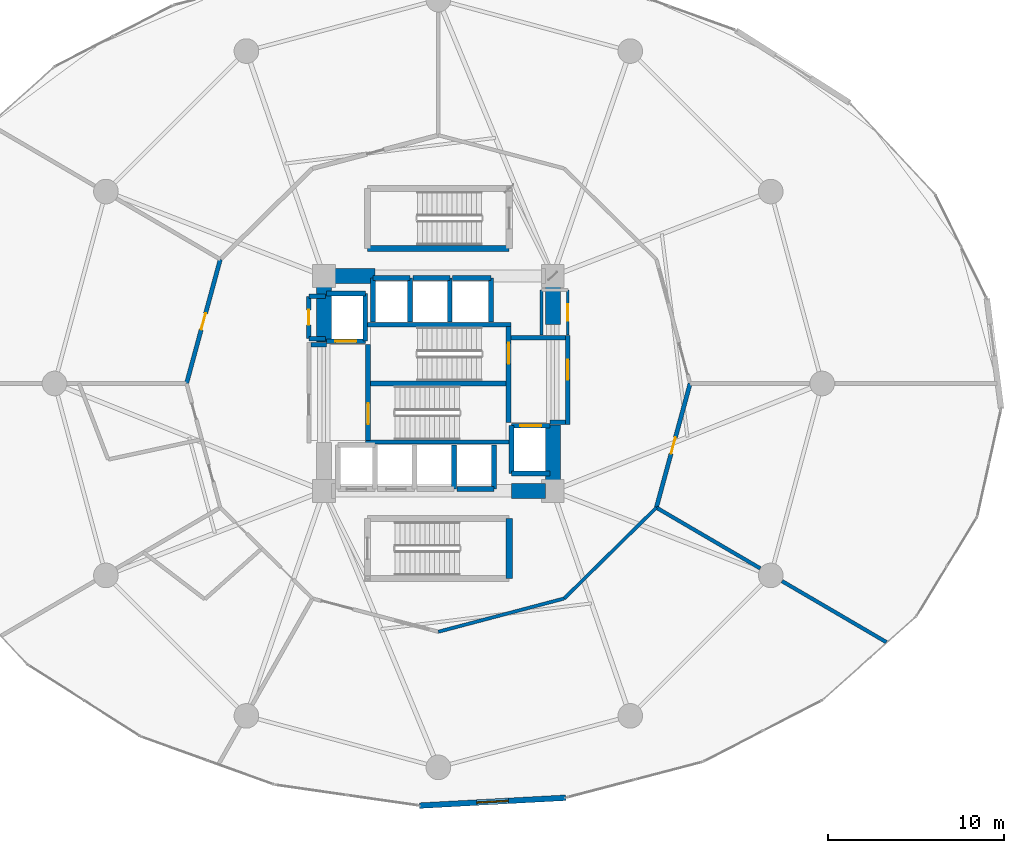
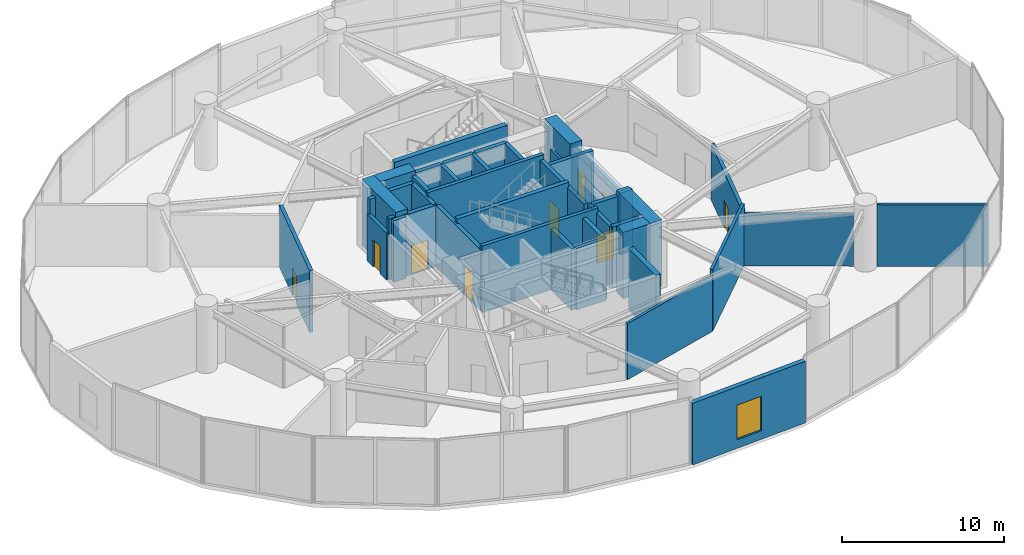
# One storey, part 26 of 31: 44 walls, 9 doors, 1 window, 10 openings.
"""IFC4 building model written with IfcOpenShell, lengths in metres."""

from ifc_helpers import new_model, si_unit, direction, frame, frame_2d, origin, place, context, subcontext, project, spatial, rectangle, extrude, material, layer, layer_set, type_object, element, fill, save


model = new_model("IFC4")

# Units and contexts
model_context = context("Model", 3, precision=1e-05, world=origin(), true_north=direction((0.0, 1.0)))
body_context = subcontext(model_context, "Body", "Model", "MODEL_VIEW")
ifc_project = project(units=[si_unit("LENGTHUNIT", "METRE"), si_unit("AREAUNIT", "SQUARE_METRE"), si_unit("VOLUMEUNIT", "CUBIC_METRE"), si_unit("PLANEANGLEUNIT", "RADIAN"), si_unit("MASSUNIT", "GRAM", prefix="KILO")], contexts=[model_context])

# Site, building, storey
site_placement = place(None, origin())
site = spatial("IfcSite", under=ifc_project, at=site_placement, CompositionType="ELEMENT")
building_placement = place(site_placement, origin())
building = spatial("IfcBuilding", under=site, at=building_placement, Name="Solvirekh Grand Hotel", CompositionType="ELEMENT")
storey_placement = place(building_placement, frame((0.0, 0.0, 18.60009765625)))
storey = spatial("IfcBuildingStorey", under=building, at=storey_placement, Name="L03", CompositionType="ELEMENT", Elevation=18.60009765625)

# Walls
ifc_material_1 = material(Name="Concrete C50/60", Category="concrete")
ifc_layer_1 = layer(ifc_material_1, 0.35009765625)
ifc_layer_set_1 = layer_set([ifc_layer_1], Name="Concrete C50/60")
wall_type_1 = type_object("IfcWallType", Name="CoreDivWall_RC350", PredefinedType="SOLIDWALL", material=ifc_layer_set_1)
for number, where, z_axis, x_axis, name in (
    (1, (-4.1298828125, -3.324951171875, 0.0), (0.0, 0.0, 1.0), (1.0, 0.0, 0.0), "L03 core stair box wall ST-S"),
    (2, (-4.1298828125, 3.324951171875, 0.0), (0.0, 0.0, 1.0), (1.0, 0.0, 0.0), "L03 core stair box wall ST-N"),
):
    element("IfcWall", number, at=place(storey_placement, frame(where, z_axis=z_axis, x_axis=x_axis)), inside=storey, type_object=wall_type_1, Name=name, PredefinedType="SOLIDWALL", context=body_context, shape_type="SweptSolid", body=[
        extrude(rectangle(XDim=8.259765625, YDim=0.25, at=frame_2d((4.1298828125, 0.0))), origin(), (0.0, 0.0, 1.0), 5.0),
    ])
wall_1_placement = place(storey_placement, frame((4.02490234375, -11.074951171875, 0.0), z_axis=(0.0, 0.0, 1.0), x_axis=(0.0, 1.0, 0.0)))
element("IfcWall", 3, at=wall_1_placement, inside=storey, type_object=wall_type_1, Name="L03 podium stair ST-3 E enclosure wall", PredefinedType="SOLIDWALL", context=body_context, shape_type="SweptSolid", body=[
    extrude(rectangle(XDim=3.39990234375, YDim=0.35009765625, at=frame_2d((1.699951171875, 0.0))), origin(), (0.0, 0.0, 1.0), 4.639892578125),
])
wall_2_placement = place(storey_placement, frame((-4.02490234375, 7.675048828125, 0.0), z_axis=(0.0, 0.0, 1.0), x_axis=(1.0, 0.0, 0.0)))
element("IfcWall", 4, at=wall_2_placement, inside=storey, type_object=wall_type_1, Name="L03 feature stair ST-4 S enclosure wall", PredefinedType="SOLIDWALL", context=body_context, shape_type="SweptSolid", body=[
    extrude(rectangle(XDim=8.0498046875, YDim=0.35009765625, at=frame_2d((4.02490234375, 0.0))), origin(), (0.0, 0.0, 1.0), 4.639892578125),
])
ifc_material_2 = material(Name="Concrete C40/50", Category="concrete")
ifc_layer_2 = layer(ifc_material_2, 0.280029296875)
ifc_layer_set_2 = layer_set([ifc_layer_2], Name="Concrete C40/50")
wall_type_2 = type_object("IfcWallType", Name="CoreShaftWall_RC280", PredefinedType="SOLIDWALL", material=ifc_layer_set_2)
wall_3_placement = place(storey_placement, frame((0.89990234375, -6.0, 0.0), z_axis=(0.0, 0.0, 1.0), x_axis=(0.0, 1.0, 0.0)))
element("IfcWall", 5, at=wall_3_placement, inside=storey, type_object=wall_type_2, Name="L03 MP-1 hoistway E wall", PredefinedType="SOLIDWALL", context=body_context, shape_type="SweptSolid", body=[
    extrude(rectangle(XDim=2.5, YDim=0.280029296875, at=frame_2d((1.25, 0.0))), origin(), (0.0, 0.0, 1.0), 4.639892578125),
])
wall_4_placement = place(storey_placement, frame((1.050048828125, -6.0, 0.0), z_axis=(0.0, 0.0, 1.0), x_axis=(1.0, 0.0, 0.0)))
element("IfcWall", 6, at=wall_4_placement, inside=storey, type_object=wall_type_2, Name="L03 MP-2 hoistway S wall", PredefinedType="SOLIDWALL", context=body_context, shape_type="SweptSolid", body=[
    extrude(rectangle(XDim=2.099853515625, YDim=0.280029296875, at=frame_2d((1.0498046875, 0.0))), origin(), (0.0, 0.0, 1.0), 4.639892578125),
])
wall_5_placement = place(storey_placement, frame((3.14990234375, -6.0, 0.0), z_axis=(0.0, 0.0, 1.0), x_axis=(0.0, 1.0, 0.0)))
element("IfcWall", 7, at=wall_5_placement, inside=storey, type_object=wall_type_2, Name="L03 MP-2 hoistway E wall", PredefinedType="SOLIDWALL", context=body_context, shape_type="SweptSolid", body=[
    extrude(rectangle(XDim=2.5, YDim=0.280029296875, at=frame_2d((1.25, 0.0))), origin(), (0.0, 0.0, 1.0), 4.639892578125),
])
wall_6_placement = place(storey_placement, frame((-1.60009765625, 6.0, 0.0), z_axis=(0.0, 0.0, 1.0), x_axis=(-1.0, 0.0, 0.0)))
element("IfcWall", 8, at=wall_6_placement, inside=storey, type_object=wall_type_2, Name="L03 HP-1 hoistway N wall", PredefinedType="SOLIDWALL", context=body_context, shape_type="SweptSolid", body=[
    extrude(rectangle(XDim=2.099853515625, YDim=0.280029296875, at=frame_2d((1.0498046875, 0.0))), origin(), (0.0, 0.0, 1.0), 4.639892578125),
])
for number, where, z_axis, x_axis, name in (
    (9, (-3.699951171875, 6.0, 0.0), (0.0, 0.0, 1.0), (0.0, -1.0, 0.0), "L03 HP-1 hoistway W wall"),
    (10, (-1.60009765625, 3.5, 0.0), (0.0, 0.0, 1.0), (0.0, 1.0, 0.0), "L03 HP-1 hoistway E wall"),
):
    element("IfcWall", number, at=place(storey_placement, frame(where, z_axis=z_axis, x_axis=x_axis)), inside=storey, type_object=wall_type_2, Name=name, PredefinedType="SOLIDWALL", context=body_context, shape_type="SweptSolid", body=[
        extrude(rectangle(XDim=2.5, YDim=0.280029296875, at=frame_2d((1.25, 0.0))), origin(), (0.0, 0.0, 1.0), 4.639892578125),
    ])
wall_7_placement = place(storey_placement, frame((0.64990234375, 6.0, 0.0), z_axis=(0.0, 0.0, 1.0), x_axis=(-1.0, 0.0, 0.0)))
element("IfcWall", 11, at=wall_7_placement, inside=storey, type_object=wall_type_2, Name="L03 HP-2 hoistway N wall", PredefinedType="SOLIDWALL", context=body_context, shape_type="SweptSolid", body=[
    extrude(rectangle(XDim=2.099853515625, YDim=0.280029296875, at=frame_2d((1.0498046875, 0.0))), origin(), (0.0, 0.0, 1.0), 4.639892578125),
])
wall_8_placement = place(storey_placement, frame((0.64990234375, 3.5, 0.0), z_axis=(0.0, 0.0, 1.0), x_axis=(0.0, 1.0, 0.0)))
element("IfcWall", 12, at=wall_8_placement, inside=storey, type_object=wall_type_2, Name="L03 HP-2 hoistway E wall", PredefinedType="SOLIDWALL", context=body_context, shape_type="SweptSolid", body=[
    extrude(rectangle(XDim=2.5, YDim=0.280029296875, at=frame_2d((1.25, 0.0))), origin(), (0.0, 0.0, 1.0), 4.639892578125),
])
wall_9_placement = place(storey_placement, frame((3.0, 6.0, 0.0), z_axis=(0.0, 0.0, 1.0), x_axis=(-1.0, 0.0, 0.0)))
element("IfcWall", 13, at=wall_9_placement, inside=storey, type_object=wall_type_2, Name="L03 EX-1 hoistway N wall", PredefinedType="SOLIDWALL", context=body_context, shape_type="SweptSolid", body=[
    extrude(rectangle(XDim=2.199951171875, YDim=0.280029296875, at=frame_2d((1.10009765625, 0.0))), origin(), (0.0, 0.0, 1.0), 4.639892578125),
])
wall_10_placement = place(storey_placement, frame((3.0, 3.5, 0.0), z_axis=(0.0, 0.0, 1.0), x_axis=(0.0, 1.0, 0.0)))
element("IfcWall", 14, at=wall_10_placement, inside=storey, type_object=wall_type_2, Name="L03 EX-1 hoistway E wall", PredefinedType="SOLIDWALL", context=body_context, shape_type="SweptSolid", body=[
    extrude(rectangle(XDim=2.5, YDim=0.280029296875, at=frame_2d((1.25, 0.0))), origin(), (0.0, 0.0, 1.0), 4.639892578125),
])

# Wall, opening, door
wall_11_placement = place(storey_placement, frame((-6.35009765625, 2.39990234375, 0.0), z_axis=(0.0, 0.0, 1.0), x_axis=(1.0, 0.0, 0.0)))
wall_11 = element("IfcWall", 15, at=wall_11_placement, inside=storey, type_object=wall_type_2, Name="L03 FL-1 hoistway S wall", PredefinedType="SOLIDWALL", context=body_context, shape_type="SweptSolid", body=[
    extrude(rectangle(XDim=2.2001953125, YDim=0.280029296875, at=frame_2d((1.10009765625, 0.0))), origin(), (0.0, 0.0, 1.0), 4.639892578125),
])
opening_1_placement = place(wall_11_placement, frame((0.5, 0.0, 0.0)))
opening_1 = element("IfcOpeningElement", 16, at=opening_1_placement, cuts=wall_11, Name="Opening LD02", PredefinedType="OPENING", context=body_context, shape_type="SweptSolid", body=[
    extrude(rectangle(XDim=1.199951171875, YDim=2.199951171875, at=frame_2d((0.60009765625, 1.10009765625))), frame((0.0, 0.14990234375, 0.0), z_axis=(0.0, -1.0, 0.0), x_axis=(1.0, 0.0, 0.0)), (0.0, 0.0, 1.0), 0.300048828125),
])
ifc_material_3 = material(Name="Fire-Rated Steel Door Assembly", Category="steel")
door_type_1 = type_object("IfcDoorType", Name="Door_LiftFF_1200X2200", OperationType="SLIDING_TO_LEFT", PredefinedType="DOOR", material=ifc_material_3)
door_1_placement = place(opening_1_placement, origin())
door_1 = element("IfcDoor", 17, at=door_1_placement, inside=storey, type_object=door_type_1, Name="L03 FL-1 sliding lift landing door", OperationType="SLIDING_TO_LEFT", OverallHeight=2.199951171875, OverallWidth=1.199951171875, PredefinedType="DOOR", context=body_context, shape_type="SweptSolid", body=[
    extrude(rectangle(XDim=1.199951171875, YDim=2.199951171875, at=frame_2d((0.60009765625, 1.10009765625))), frame((0.0, 0.02490234375, 0.0), z_axis=(0.0, -1.0, 0.0), x_axis=(1.0, 0.0, 0.0)), (0.0, 0.0, 1.0), 0.050048828125),
])
fill(opening_1, door_1)

# Walls
wall_12_placement = place(storey_placement, frame((-4.14990234375, 5.10009765625, 0.0), z_axis=(0.0, 0.0, 1.0), x_axis=(-1.0, 0.0, 0.0)))
element("IfcWall", 18, at=wall_12_placement, inside=storey, type_object=wall_type_2, Name="L03 FL-1 hoistway N wall", PredefinedType="SOLIDWALL", context=body_context, shape_type="SweptSolid", body=[
    extrude(rectangle(XDim=2.2001953125, YDim=0.280029296875, at=frame_2d((1.10009765625, 0.0))), origin(), (0.0, 0.0, 1.0), 4.639892578125),
])
wall_13_placement = place(storey_placement, frame((-4.14990234375, 2.39990234375, 0.0), z_axis=(0.0, 0.0, 1.0), x_axis=(0.0, 1.0, 0.0)))
element("IfcWall", 19, at=wall_13_placement, inside=storey, type_object=wall_type_2, Name="L03 FL-1 hoistway E wall", PredefinedType="SOLIDWALL", context=body_context, shape_type="SweptSolid", body=[
    extrude(rectangle(XDim=2.7001953125, YDim=0.280029296875, at=frame_2d((1.35009765625, 0.0))), origin(), (0.0, 0.0, 1.0), 4.639892578125),
])
wall_14_placement = place(storey_placement, frame((4.14990234375, -5.10009765625, 0.0), z_axis=(0.0, 0.0, 1.0), x_axis=(1.0, 0.0, 0.0)))
element("IfcWall", 20, at=wall_14_placement, inside=storey, type_object=wall_type_2, Name="L03 FL-2 hoistway S wall", PredefinedType="SOLIDWALL", context=body_context, shape_type="SweptSolid", body=[
    extrude(rectangle(XDim=2.2001953125, YDim=0.280029296875, at=frame_2d((1.10009765625, 0.0))), origin(), (0.0, 0.0, 1.0), 4.639892578125),
])

# Wall, opening, door
wall_15_placement = place(storey_placement, frame((6.35009765625, -2.39990234375, 0.0), z_axis=(0.0, 0.0, 1.0), x_axis=(-1.0, 0.0, 0.0)))
wall_15 = element("IfcWall", 21, at=wall_15_placement, inside=storey, type_object=wall_type_2, Name="L03 FL-2 hoistway N wall", PredefinedType="SOLIDWALL", context=body_context, shape_type="SweptSolid", body=[
    extrude(rectangle(XDim=2.2001953125, YDim=0.280029296875, at=frame_2d((1.10009765625, 0.0))), origin(), (0.0, 0.0, 1.0), 4.639892578125),
])
opening_2_placement = place(wall_15_placement, frame((0.5, 0.0, 0.0)))
opening_2 = element("IfcOpeningElement", 22, at=opening_2_placement, cuts=wall_15, Name="Opening LD02", PredefinedType="OPENING", context=body_context, shape_type="SweptSolid", body=[
    extrude(rectangle(XDim=1.199951171875, YDim=2.199951171875, at=frame_2d((0.60009765625, 1.10009765625))), frame((0.0, 0.14990234375, 0.0), z_axis=(0.0, -1.0, 0.0), x_axis=(1.0, 0.0, 0.0)), (0.0, 0.0, 1.0), 0.300048828125),
])
door_2_placement = place(opening_2_placement, origin())
door_2 = element("IfcDoor", 23, at=door_2_placement, inside=storey, type_object=door_type_1, Name="L03 FL-2 sliding lift landing door", OperationType="SLIDING_TO_LEFT", OverallHeight=2.199951171875, OverallWidth=1.199951171875, PredefinedType="DOOR", context=body_context, shape_type="SweptSolid", body=[
    extrude(rectangle(XDim=1.199951171875, YDim=2.199951171875, at=frame_2d((0.60009765625, 1.10009765625))), frame((0.0, 0.02490234375, 0.0), z_axis=(0.0, -1.0, 0.0), x_axis=(1.0, 0.0, 0.0)), (0.0, 0.0, 1.0), 0.050048828125),
])
fill(opening_2, door_2)

# Wall
wall_16_placement = place(storey_placement, frame((4.14990234375, -2.39990234375, 0.0), z_axis=(0.0, 0.0, 1.0), x_axis=(0.0, -1.0, 0.0)))
element("IfcWall", 24, at=wall_16_placement, inside=storey, type_object=wall_type_2, Name="L03 FL-2 hoistway W wall", PredefinedType="SOLIDWALL", context=body_context, shape_type="SweptSolid", body=[
    extrude(rectangle(XDim=2.7001953125, YDim=0.280029296875, at=frame_2d((1.35009765625, 0.0))), origin(), (0.0, 0.0, 1.0), 4.639892578125),
])

# Wall, opening, door
wall_17_placement = place(storey_placement, frame((-3.989990234375, -3.25, 0.0), z_axis=(0.0, 0.0, 1.0), x_axis=(0.0, 1.0, 0.0)))
wall_17 = element("IfcWall", 25, at=wall_17_placement, inside=storey, type_object=wall_type_2, Name="L03 west stair landing enclosure wall", PredefinedType="SOLIDWALL", context=body_context, shape_type="SweptSolid", body=[
    extrude(rectangle(XDim=5.4599609375, YDim=0.280029296875, at=frame_2d((2.72998046875, 0.0))), origin(), (0.0, 0.0, 1.0), 4.639892578125),
])
opening_3_placement = place(wall_17_placement, frame((0.93701171875, 0.0, 0.0)))
opening_3 = element("IfcOpeningElement", 26, at=opening_3_placement, cuts=wall_17, Name="Opening D05", PredefinedType="OPENING", context=body_context, shape_type="SweptSolid", body=[
    extrude(rectangle(XDim=1.199951171875, YDim=2.199951171875, at=frame_2d((0.60009765625, 1.10009765625))), frame((0.0, 0.14990234375, 0.0), z_axis=(0.0, -1.0, 0.0), x_axis=(1.0, 0.0, 0.0)), (0.0, 0.0, 1.0), 0.300048828125),
])
door_type_2 = type_object("IfcDoorType", Name="Door_StairCore_1200X2200", OperationType="NOTDEFINED", PredefinedType="DOOR", material=ifc_material_3)
door_3_placement = place(opening_3_placement, origin())
door_3 = element("IfcDoor", 27, at=door_3_placement, inside=storey, type_object=door_type_2, Name="L03 exit stair ST-1 fire door", OperationType="SINGLE_SWING_RIGHT", OverallHeight=2.199951171875, OverallWidth=1.199951171875, PredefinedType="DOOR", context=body_context, shape_type="SweptSolid", body=[
    extrude(rectangle(XDim=1.199951171875, YDim=2.199951171875, at=frame_2d((0.60009765625, 1.10009765625))), frame((0.0, 0.02490234375, 0.0), z_axis=(0.0, -1.0, 0.0), x_axis=(1.0, 0.0, 0.0)), (0.0, 0.0, 1.0), 0.050048828125),
])
fill(opening_3, door_3)

wall_18_placement = place(storey_placement, frame((3.989990234375, -2.2099609375, 0.0), z_axis=(0.0, 0.0, 1.0), x_axis=(0.0, 1.0, 0.0)))
wall_18 = element("IfcWall", 28, at=wall_18_placement, inside=storey, type_object=wall_type_2, Name="L03 east stair landing enclosure wall", PredefinedType="SOLIDWALL", context=body_context, shape_type="SweptSolid", body=[
    extrude(rectangle(XDim=5.4599609375, YDim=0.280029296875, at=frame_2d((2.72998046875, 0.0))), origin(), (0.0, 0.0, 1.0), 4.639892578125),
])
opening_4_placement = place(wall_18_placement, frame((3.322998046875, 0.0, 0.0)))
opening_4 = element("IfcOpeningElement", 29, at=opening_4_placement, cuts=wall_18, Name="Opening D05", PredefinedType="OPENING", context=body_context, shape_type="SweptSolid", body=[
    extrude(rectangle(XDim=1.199951171875, YDim=2.199951171875, at=frame_2d((0.60009765625, 1.10009765625))), frame((0.0, 0.14990234375, 0.0), z_axis=(0.0, -1.0, 0.0), x_axis=(1.0, 0.0, 0.0)), (0.0, 0.0, 1.0), 0.300048828125),
])
door_4_placement = place(opening_4_placement, origin())
door_4 = element("IfcDoor", 30, at=door_4_placement, inside=storey, type_object=door_type_2, Name="L03 exit stair ST-2 fire door", OperationType="SINGLE_SWING_LEFT", OverallHeight=2.199951171875, OverallWidth=1.199951171875, PredefinedType="DOOR", context=body_context, shape_type="SweptSolid", body=[
    extrude(rectangle(XDim=1.199951171875, YDim=2.199951171875, at=frame_2d((0.60009765625, 1.10009765625))), frame((0.0, 0.02490234375, 0.0), z_axis=(0.0, -1.0, 0.0), x_axis=(1.0, 0.0, 0.0)), (0.0, 0.0, 1.0), 0.050048828125),
])
fill(opening_4, door_4)

# Walls
ifc_material_4 = material(Name="Concrete C60/75", Category="concrete")
ifc_layer_3 = layer(ifc_material_4, 0.85009765625)
ifc_layer_set_3 = layer_set([ifc_layer_3], Name="Concrete C60/75")
wall_type_3 = type_object("IfcWallType", Name="CoreWall_RC850", PredefinedType="SHEAR", material=ifc_layer_set_3)
wall_19_placement = place(storey_placement, frame((-3.989990234375, 0.0, 0.0), z_axis=(0.0, 0.0, 1.0), x_axis=(1.0, 0.0, 0.0)))
element("IfcWall", 31, at=wall_19_placement, inside=storey, type_object=wall_type_3, Name="L03 central stair-spine shear wall", PredefinedType="SHEAR", context=body_context, shape_type="SweptSolid", body=[
    extrude(rectangle(XDim=7.97998046875, YDim=0.300048828125, at=frame_2d((3.989990234375, 0.0))), origin(), (0.0, 0.0, 1.0), 5.0),
])
wall_20_placement = place(storey_placement, frame((4.14990234375, -6.10009765625, 0.0), z_axis=(0.0, 0.0, 1.0), x_axis=(1.0, 0.0, 0.0)))
element("IfcWall", 32, at=wall_20_placement, inside=storey, type_object=wall_type_3, Name="L03 core corner shear wall SE-S", PredefinedType="SHEAR", context=body_context, shape_type="SweptSolid", body=[
    extrude(rectangle(XDim=1.925048828125, YDim=0.85009765625, at=frame_2d((0.96240234375, 0.0))), origin(), (0.0, 0.0, 1.0), 5.0),
])
wall_21_placement = place(storey_placement, frame((-6.074951171875, 6.10009765625, 0.0), z_axis=(0.0, 0.0, 1.0), x_axis=(1.0, 0.0, 0.0)))
element("IfcWall", 33, at=wall_21_placement, inside=storey, type_object=wall_type_3, Name="L03 core corner shear wall NW-N", PredefinedType="SHEAR", context=body_context, shape_type="SweptSolid", body=[
    extrude(rectangle(XDim=2.474853515625, YDim=0.85009765625, at=frame_2d((1.2373046875, 0.0))), origin(), (0.0, 0.0, 1.0), 5.0),
])
for number, where, z_axis, x_axis, name in (
    (34, (-6.5, 2.35009765625, 0.0), (0.0, 0.0, 1.0), (0.0, 1.0, 0.0), "L03 core corner shear wall WN-W"),
    (35, (6.5, -6.52490234375, 0.0), (0.0, 0.0, 1.0), (0.0, 1.0, 0.0), "L03 core corner shear wall ES-E"),
):
    element("IfcWall", number, at=place(storey_placement, frame(where, z_axis=z_axis, x_axis=x_axis)), inside=storey, type_object=wall_type_3, Name=name, PredefinedType="SHEAR", context=body_context, shape_type="SweptSolid", body=[
        extrude(rectangle(XDim=4.1748046875, YDim=0.85009765625, at=frame_2d((2.08740234375, 0.0))), origin(), (0.0, 0.0, 1.0), 5.0),
    ])
wall_22_placement = place(storey_placement, frame((6.5, 3.35009765625, 0.0), z_axis=(0.0, 0.0, 1.0), x_axis=(0.0, 1.0, 0.0)))
element("IfcWall", 36, at=wall_22_placement, inside=storey, type_object=wall_type_3, Name="L03 core corner shear wall EN-E", PredefinedType="SHEAR", context=body_context, shape_type="SweptSolid", body=[
    extrude(rectangle(XDim=3.1748046875, YDim=0.85009765625, at=frame_2d((1.58740234375, 0.0))), origin(), (0.0, 0.0, 1.0), 5.0),
])

# Wall, opening, window
ifc_material_5 = material(Name="Precast concrete C45/55", Category="concrete")
ifc_layer_4 = layer(ifc_material_5, 0.320068359375)
ifc_layer_set_4 = layer_set([ifc_layer_4], Name="Precast concrete C45/55")
wall_type_4 = type_object("IfcWallType", Name="ExtLobbyWall_RC320", PredefinedType="SOLIDWALL", material=ifc_layer_set_4)
wall_23_placement = place(storey_placement, frame((7.238037109375, -23.529052734375, 0.0), z_axis=(0.0, 0.0, 1.0), x_axis=(-0.998556298709, -0.053715159026, 0.0)))
wall_23 = element("IfcWall", 37, at=wall_23_placement, inside=storey, type_object=wall_type_4, Name="L03 exterior structural wall chord 19", PredefinedType="SOLIDWALL", context=body_context, shape_type="SweptSolid", body=[
    extrude(rectangle(XDim=8.322021484375, YDim=0.320068359375, at=frame_2d((4.1611328125, 0.0))), origin(), (0.0, 0.0, 1.0), 4.639892578125),
])
opening_5_placement = place(wall_23_placement, frame((3.260986328125, 0.0, 0.64990234375)))
opening_5 = element("IfcOpeningElement", 38, at=opening_5_placement, cuts=wall_23, Name="Opening W02", PredefinedType="OPENING", context=body_context, shape_type="SweptSolid", body=[
    extrude(rectangle(XDim=1.800048828125, YDim=2.60009765625, at=frame_2d((0.89990234375, 1.300048828125))), frame((0.0, 0.169921875, 0.0), z_axis=(0.0, -1.0, 0.0), x_axis=(1.0, 0.0, 0.0)), (0.0, 0.0, 1.0), 0.340087890625),
])
ifc_material_6 = material(Name="Low-E Tinted Bronze Laminated Glass", Category="aluminium")
window_type = type_object("IfcWindowType", Name="Win_LobbyExt_1800X2600", PartitioningType="SINGLE_PANEL", PredefinedType="WINDOW", material=ifc_material_6)
window_placement = place(opening_5_placement, origin())
window = element("IfcWindow", 39, at=window_placement, inside=storey, type_object=window_type, Name="L03 panoramic bronze-framed window 19", OverallHeight=2.60009765625, OverallWidth=1.800048828125, PartitioningType="SINGLE_PANEL", PredefinedType="WINDOW", context=body_context, shape_type="SweptSolid", body=[
    extrude(rectangle(XDim=1.800048828125, YDim=2.60009765625, at=frame_2d((0.89990234375, 1.300048828125))), frame((0.0, 0.030029296875, 0.0), z_axis=(0.0, -1.0, 0.0), x_axis=(1.0, 0.0, 0.0)), (0.0, 0.0, 1.0), 0.06005859375),
])
fill(opening_5, window)

# Wall, opening, door
ifc_material_7 = material(Name="Acoustic Gypsum Partition Assembly")
ifc_layer_5 = layer(ifc_material_7, 0.1650390625)
ifc_layer_set_5 = layer_set([ifc_layer_5], Name="Acoustic Gypsum Partition Assembly")
wall_type_5 = type_object("IfcWallType", Name="Part_BOH_165", PredefinedType="PARTITIONING", material=ifc_layer_set_5)
wall_24_placement = place(storey_placement, frame((7.35009765625, 2.75, 0.0), z_axis=(0.0, 0.0, 1.0), x_axis=(0.0, 1.0, 0.0)))
wall_24 = element("IfcWall", 40, at=wall_24_placement, inside=storey, type_object=wall_type_5, Name="L03 L03 Core Housekeeping & Linen Room wall 2", PredefinedType="PARTITIONING", context=body_context, shape_type="SweptSolid", body=[
    extrude(rectangle(XDim=2.550048828125, YDim=0.1650390625, at=frame_2d((1.27490234375, 0.0))), origin(), (0.0, 0.0, 1.0), 3.52490234375),
])
opening_6_placement = place(wall_24_placement, frame((0.800048828125, 0.0, 0.0)))
opening_6 = element("IfcOpeningElement", 41, at=opening_6_placement, cuts=wall_24, Name="Opening D10", PredefinedType="OPENING", context=body_context, shape_type="SweptSolid", body=[
    extrude(rectangle(XDim=0.949951171875, YDim=2.10009765625, at=frame_2d((0.47509765625, 1.050048828125))), frame((0.0, 0.092529296875, 0.0), z_axis=(0.0, -1.0, 0.0), x_axis=(1.0, 0.0, 0.0)), (0.0, 0.0, 1.0), 0.18505859375),
])
ifc_material_8 = material(Name="Anodized Bronze Aluminium 6063-T6", Category="aluminium")
door_type_3 = type_object("IfcDoorType", Name="Door_RoomInt_950X2100", OperationType="NOTDEFINED", PredefinedType="DOOR", material=ifc_material_8)
door_5_placement = place(opening_6_placement, origin())
door_5 = element("IfcDoor", 42, at=door_5_placement, inside=storey, type_object=door_type_3, Name="L03 L03 Core Housekeeping & Linen Room door", OperationType="SINGLE_SWING_LEFT", OverallHeight=2.10009765625, OverallWidth=0.949951171875, PredefinedType="DOOR", context=body_context, shape_type="SweptSolid", body=[
    extrude(rectangle(XDim=0.949951171875, YDim=2.10009765625, at=frame_2d((0.47509765625, 1.050048828125))), frame((0.0, 0.02490234375, 0.0), z_axis=(0.0, -1.0, 0.0), x_axis=(1.0, 0.0, 0.0)), (0.0, 0.0, 1.0), 0.050048828125),
])
fill(opening_6, door_5)

# Wall
wall_25_placement = place(storey_placement, frame((5.85009765625, 5.300048828125, 0.0), z_axis=(0.0, 0.0, 1.0), x_axis=(0.0, -1.0, 0.0)))
element("IfcWall", 43, at=wall_25_placement, inside=storey, type_object=wall_type_5, Name="L03 L03 Core Housekeeping & Linen Room wall 4", PredefinedType="PARTITIONING", context=body_context, shape_type="SweptSolid", body=[
    extrude(rectangle(XDim=2.550048828125, YDim=0.1650390625, at=frame_2d((1.27490234375, 0.0))), origin(), (0.0, 0.0, 1.0), 3.52490234375),
])

# Wall, opening, door
ifc_layer_6 = layer(ifc_material_7, 0.239990234375)
ifc_layer_set_6 = layer_set([ifc_layer_6], Name="Acoustic Gypsum Partition Assembly")
wall_type_6 = type_object("IfcWallType", Name="Part_Corridor_240", PredefinedType="PARTITIONING", material=ifc_layer_set_6)
wall_26_placement = place(storey_placement, frame((7.35009765625, -2.340087890625, 0.0), z_axis=(0.0, 0.0, 1.0), x_axis=(0.0, 1.0, 0.0)))
wall_26 = element("IfcWall", 44, at=wall_26_placement, inside=storey, type_object=wall_type_6, Name="L03 east firefighting lobby smoke screen wall", PredefinedType="PARTITIONING", context=body_context, shape_type="SweptSolid", body=[
    extrude(rectangle(XDim=5.070068359375, YDim=0.239990234375, at=frame_2d((2.53515625, 0.0))), origin(), (0.0, 0.0, 1.0), 3.52490234375),
])
opening_7_placement = place(wall_26_placement, frame((2.548095703125, 0.0, 0.0)))
opening_7 = element("IfcOpeningElement", 45, at=opening_7_placement, cuts=wall_26, Name="Opening D06", PredefinedType="OPENING", context=body_context, shape_type="SweptSolid", body=[
    extrude(rectangle(XDim=1.14990234375, YDim=2.199951171875, at=frame_2d((0.574951171875, 1.10009765625))), frame((0.0, 0.1298828125, 0.0), z_axis=(0.0, -1.0, 0.0), x_axis=(1.0, 0.0, 0.0)), (0.0, 0.0, 1.0), 0.260009765625),
])
door_type_4 = type_object("IfcDoorType", Name="Door_FFLobby_1150X2200", OperationType="NOTDEFINED", PredefinedType="DOOR", material=ifc_material_3)
door_6_placement = place(opening_7_placement, origin())
door_6 = element("IfcDoor", 46, at=door_6_placement, inside=storey, type_object=door_type_4, Name="L03 east firefighting lobby smoke door", OperationType="SINGLE_SWING_LEFT", OverallHeight=2.199951171875, OverallWidth=1.14990234375, PredefinedType="DOOR", context=body_context, shape_type="SweptSolid", body=[
    extrude(rectangle(XDim=1.14990234375, YDim=2.199951171875, at=frame_2d((0.574951171875, 1.10009765625))), frame((0.0, 0.02490234375, 0.0), z_axis=(0.0, -1.0, 0.0), x_axis=(1.0, 0.0, 0.0)), (0.0, 0.0, 1.0), 0.050048828125),
])
fill(opening_7, door_6)

wall_27_placement = place(storey_placement, frame((-12.384033203125, 7.050048828125, 0.0), z_axis=(0.0, 0.0, 1.0), x_axis=(-0.262260528785, -0.964997106235, 0.0)))
wall_27 = element("IfcWall", 47, at=wall_27_placement, inside=storey, type_object=wall_type_6, Name="L03 Business Centre & Press Secretariat corridor wall", PredefinedType="PARTITIONING", context=body_context, shape_type="SweptSolid", body=[
    extrude(rectangle(XDim=7.3056640625, YDim=0.239990234375, at=frame_2d((3.65283203125, 0.0))), origin(), (0.0, 0.0, 1.0), 4.639892578125),
])
opening_8_placement = place(wall_27_placement, frame((3.177978515625, 0.0, 0.0)))
opening_8 = element("IfcOpeningElement", 48, at=opening_8_placement, cuts=wall_27, Name="Opening D10", PredefinedType="OPENING", context=body_context, shape_type="SweptSolid", body=[
    extrude(rectangle(XDim=0.949951171875, YDim=2.10009765625, at=frame_2d((0.47509765625, 1.050048828125))), frame((0.0, 0.1298828125, 0.0), z_axis=(0.0, -1.0, 0.0), x_axis=(1.0, 0.0, 0.0)), (0.0, 0.0, 1.0), 0.260009765625),
])
door_7_placement = place(opening_8_placement, origin())
door_7 = element("IfcDoor", 49, at=door_7_placement, inside=storey, type_object=door_type_3, Name="L03 Business Centre & Press Secretariat entrance door", OperationType="SINGLE_SWING_RIGHT", OverallHeight=2.10009765625, OverallWidth=0.949951171875, PredefinedType="DOOR", context=body_context, shape_type="SweptSolid", body=[
    extrude(rectangle(XDim=0.949951171875, YDim=2.10009765625, at=frame_2d((0.47509765625, 1.050048828125))), frame((0.0, 0.02490234375, 0.0), z_axis=(0.0, -1.0, 0.0), x_axis=(1.0, 0.0, 0.0)), (0.0, 0.0, 1.0), 0.050048828125),
])
fill(opening_8, door_7)

wall_28_placement = place(storey_placement, frame((12.384033203125, -7.050048828125, 0.0), z_axis=(0.0, 0.0, 1.0), x_axis=(0.262260528785, 0.964997106235, 0.0)))
wall_28 = element("IfcWall", 50, at=wall_28_placement, inside=storey, type_object=wall_type_6, Name="L03 AV & Conference Housekeeping Store corridor wall", PredefinedType="PARTITIONING", context=body_context, shape_type="SweptSolid", body=[
    extrude(rectangle(XDim=7.3056640625, YDim=0.239990234375, at=frame_2d((3.65283203125, 0.0))), origin(), (0.0, 0.0, 1.0), 4.218994140625),
])
opening_9_placement = place(wall_28_placement, frame((3.177978515625, 0.0, 0.0)))
opening_9 = element("IfcOpeningElement", 51, at=opening_9_placement, cuts=wall_28, Name="Opening D10", PredefinedType="OPENING", context=body_context, shape_type="SweptSolid", body=[
    extrude(rectangle(XDim=0.949951171875, YDim=2.10009765625, at=frame_2d((0.47509765625, 1.050048828125))), frame((0.0, 0.1298828125, 0.0), z_axis=(0.0, -1.0, 0.0), x_axis=(1.0, 0.0, 0.0)), (0.0, 0.0, 1.0), 0.260009765625),
])
door_8_placement = place(opening_9_placement, origin())
door_8 = element("IfcDoor", 52, at=door_8_placement, inside=storey, type_object=door_type_3, Name="L03 AV & Conference Housekeeping Store entrance door", OperationType="SINGLE_SWING_RIGHT", OverallHeight=2.10009765625, OverallWidth=0.949951171875, PredefinedType="DOOR", context=body_context, shape_type="SweptSolid", body=[
    extrude(rectangle(XDim=0.949951171875, YDim=2.10009765625, at=frame_2d((0.47509765625, 1.050048828125))), frame((0.0, 0.02490234375, 0.0), z_axis=(0.0, -1.0, 0.0), x_axis=(1.0, 0.0, 0.0)), (0.0, 0.0, 1.0), 0.050048828125),
])
fill(opening_9, door_8)

# Walls
ifc_layer_7 = layer(ifc_material_7, 0.18994140625)
ifc_layer_set_7 = layer_set([ifc_layer_7], Name="Acoustic Gypsum Partition Assembly")
wall_type_7 = type_object("IfcWallType", Name="Part_GuestDemise_190", PredefinedType="PARTITIONING", material=ifc_layer_set_7)
wall_29_placement = place(storey_placement, frame((0.0, -14.10009765625, 0.0), z_axis=(0.0, 0.0, 1.0), x_axis=(0.966820901533, 0.255455170937, 0.0)))
element("IfcWall", 53, at=wall_29_placement, inside=storey, type_object=wall_type_7, Name="L03 Breakout Seminar Suites corridor wall 2", PredefinedType="PARTITIONING", context=body_context, shape_type="SweptSolid", body=[
    extrude(rectangle(XDim=7.395263671875, YDim=0.18994140625, at=frame_2d((3.69775390625, 0.0))), origin(), (0.0, 0.0, 1.0), 4.218994140625),
])
wall_30_placement = place(storey_placement, frame((7.14990234375, -12.2109375, 0.0), z_axis=(0.0, 0.0, 1.0), x_axis=(0.712071304345, 0.702107155303, 0.0)))
element("IfcWall", 54, at=wall_30_placement, inside=storey, type_object=wall_type_7, Name="L03 Breakout Seminar Suites corridor wall 3", PredefinedType="PARTITIONING", context=body_context, shape_type="SweptSolid", body=[
    extrude(rectangle(XDim=7.3505859375, YDim=0.18994140625, at=frame_2d((3.67529296875, 0.0))), origin(), (0.0, 0.0, 1.0), 4.639892578125),
])
ifc_layer_8 = layer(ifc_material_7, 0.260009765625)
ifc_layer_set_8 = layer_set([ifc_layer_8], Name="Acoustic Gypsum Partition Assembly")
wall_type_8 = type_object("IfcWallType", Name="Part_LobbyFF_260", PredefinedType="PARTITIONING", material=ifc_layer_set_8)
for number, where, z_axis, x_axis, name in (
    (55, (-7.22509765625, 2.2099609375, 0.0), (0.0, 0.0, 1.0), (1.0, 0.0, 0.0), "L03 west firefighting lobby NW cheek"),
    (56, (6.35009765625, -2.2099609375, 0.0), (0.0, 0.0, 1.0), (1.0, 0.0, 0.0), "L03 east firefighting lobby SE cheek"),
):
    element("IfcWall", number, at=place(storey_placement, frame(where, z_axis=z_axis, x_axis=x_axis)), inside=storey, type_object=wall_type_8, Name=name, PredefinedType="PARTITIONING", context=body_context, shape_type="SweptSolid", body=[
        extrude(rectangle(XDim=0.875, YDim=0.260009765625, at=frame_2d((0.4375, 0.0))), origin(), (0.0, 0.0, 1.0), 4.639892578125),
    ])
wall_31_placement = place(storey_placement, frame((4.1298828125, 2.60009765625, 0.0), z_axis=(0.0, 0.0, 1.0), x_axis=(1.0, 0.0, 0.0)))
element("IfcWall", 57, at=wall_31_placement, inside=storey, type_object=wall_type_8, Name="L03 east firefighting lobby north partition", PredefinedType="PARTITIONING", context=body_context, shape_type="SweptSolid", body=[
    extrude(rectangle(XDim=3.09521484375, YDim=0.260009765625, at=frame_2d((1.547607421875, 0.0))), origin(), (0.0, 0.0, 1.0), 4.639892578125),
])
for number, where, z_axis, x_axis, name in (
    (58, (-7.35009765625, 4.949951171875, 0.0), (0.0, 0.0, 1.0), (1.0, 0.0, 0.0), "L03 NW telecom metering cupboard north wall"),
    (59, (-7.35009765625, 2.550048828125, 0.0), (0.0, 0.0, 1.0), (1.0, 0.0, 0.0), "L03 NW telecom metering cupboard south wall"),
):
    element("IfcWall", number, at=place(storey_placement, frame(where, z_axis=z_axis, x_axis=x_axis)), inside=storey, type_object=wall_type_8, Name=name, PredefinedType="PARTITIONING", context=body_context, shape_type="SweptSolid", body=[
        extrude(rectangle(XDim=0.93017578125, YDim=0.260009765625, at=frame_2d((0.465087890625, 0.0))), origin(), (0.0, 0.0, 1.0), 4.639892578125),
    ])

# Wall, opening, door
wall_32_placement = place(storey_placement, frame((-7.35009765625, 2.550048828125, 0.0), z_axis=(0.0, 0.0, 1.0), x_axis=(0.0, 1.0, 0.0)))
wall_32 = element("IfcWall", 60, at=wall_32_placement, inside=storey, type_object=wall_type_8, Name="L03 NW telecom metering cupboard access wall", PredefinedType="PARTITIONING", context=body_context, shape_type="SweptSolid", body=[
    extrude(rectangle(XDim=2.39990234375, YDim=0.260009765625, at=frame_2d((1.199951171875, 0.0))), origin(), (0.0, 0.0, 1.0), 3.52490234375),
])
opening_10_placement = place(wall_32_placement, frame((0.77490234375, 0.0, 0.0)))
opening_10 = element("IfcOpeningElement", 61, at=opening_10_placement, cuts=wall_32, Name="Opening D13", PredefinedType="OPENING", context=body_context, shape_type="SweptSolid", body=[
    extrude(rectangle(XDim=0.85009765625, YDim=2.050048828125, at=frame_2d((0.425048828125, 1.02490234375))), frame((0.0, 0.14013671875, 0.0), z_axis=(0.0, -1.0, 0.0), x_axis=(1.0, 0.0, 0.0)), (0.0, 0.0, 1.0), 0.280029296875),
])
door_type_5 = type_object("IfcDoorType", Name="Door_RiserShaft_850X2050", OperationType="NOTDEFINED", PredefinedType="DOOR", material=ifc_material_3)
door_9_placement = place(opening_10_placement, origin())
door_9 = element("IfcDoor", 62, at=door_9_placement, inside=storey, type_object=door_type_5, Name="L03 telecom metering cupboard access door", OperationType="SINGLE_SWING_RIGHT", OverallHeight=2.050048828125, OverallWidth=0.85009765625, PredefinedType="DOOR", context=body_context, shape_type="SweptSolid", body=[
    extrude(rectangle(XDim=0.85009765625, YDim=2.050048828125, at=frame_2d((0.425048828125, 1.02490234375))), frame((0.0, 0.02490234375, 0.0), z_axis=(0.0, -1.0, 0.0), x_axis=(1.0, 0.0, 0.0)), (0.0, 0.0, 1.0), 0.050048828125),
])
fill(opening_10, door_9)

# Walls
ifc_layer_9 = layer(ifc_material_7, 0.2099609375)
ifc_layer_set_9 = layer_set([ifc_layer_9], Name="Acoustic Gypsum Partition Assembly")
wall_type_9 = type_object("IfcWallType", Name="Part_SuiteDemise_210", PredefinedType="PARTITIONING", material=ifc_layer_set_9)
wall_33_placement = place(storey_placement, frame((12.384033203125, -7.050048828125, 0.0), z_axis=(0.0, 0.0, 1.0), x_axis=(0.863200238908, -0.504861711313, 0.0)))
element("IfcWall", 63, at=wall_33_placement, inside=storey, type_object=wall_type_9, Name="L03 radial demising wall 12 (A)", PredefinedType="PARTITIONING", context=body_context, shape_type="SweptSolid", body=[
    extrude(rectangle(XDim=6.83154296875, YDim=0.2099609375, at=frame_2d((3.415771484375, 0.0))), origin(), (0.0, 0.0, 1.0), 3.928955078125),
])
wall_34_placement = place(storey_placement, frame((19.52099609375, -11.22509765625, 0.0), z_axis=(0.0, 0.0, 1.0), x_axis=(0.863178834924, -0.504898305542, 0.0)))
element("IfcWall", 64, at=wall_34_placement, inside=storey, type_object=wall_type_9, Name="L03 radial demising wall 12 (B)", PredefinedType="PARTITIONING", context=body_context, shape_type="SweptSolid", body=[
    extrude(rectangle(XDim=6.86865234375, YDim=0.2099609375, at=frame_2d((3.434326171875, 0.0))), origin(), (0.0, 0.0, 1.0), 4.639892578125),
])

save(model, "model.ifc")
